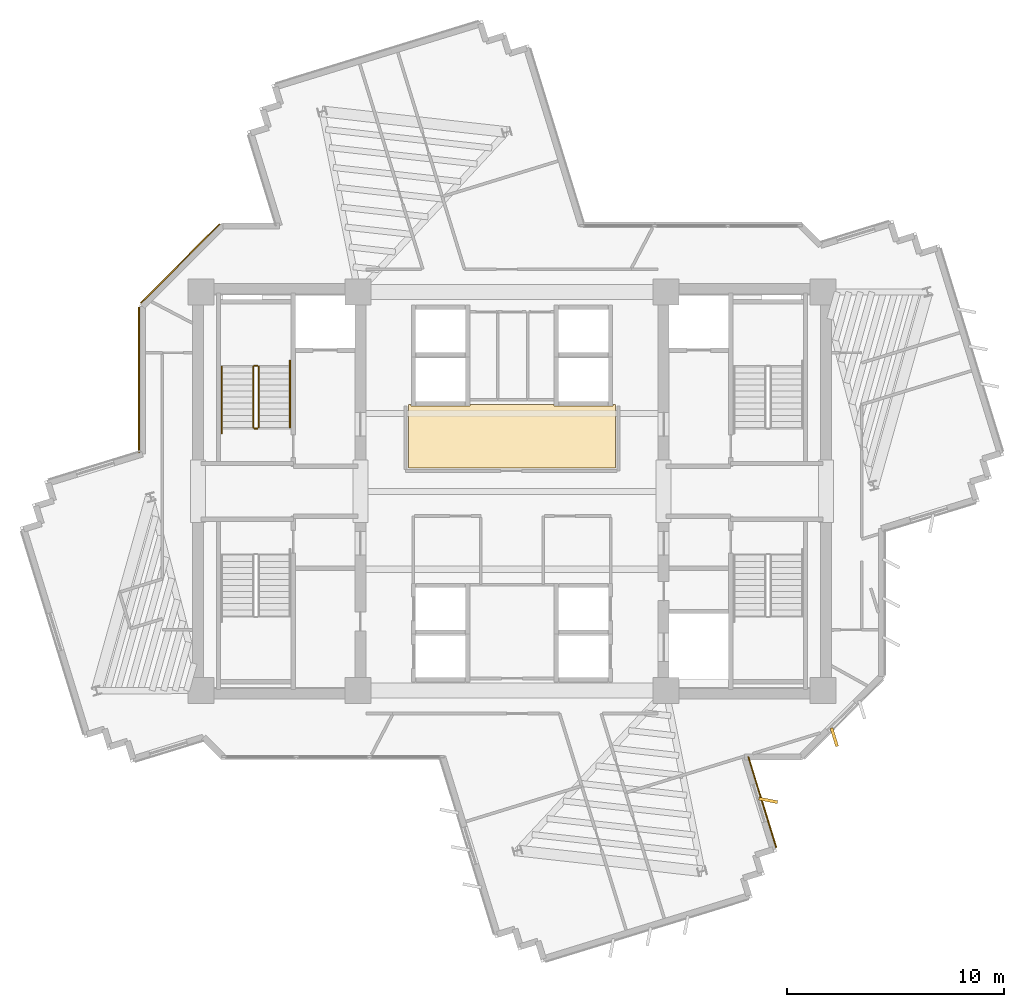
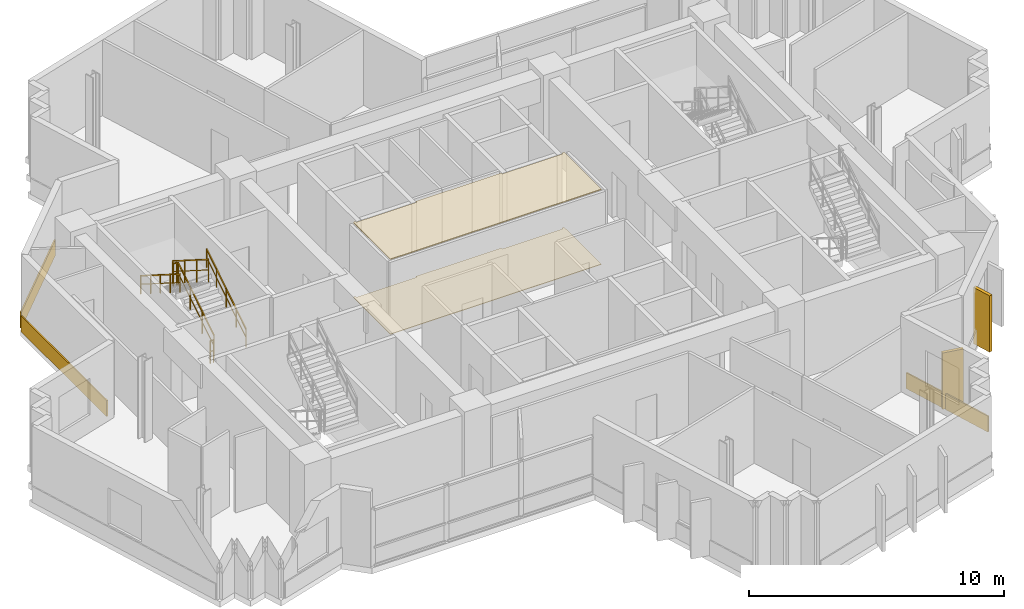
# One storey, part 11 of 13: 7 coverings, 6 railings.
"""IFC4 building model written with IfcOpenShell, lengths in metres."""

from ifc_helpers import new_model, si_unit, direction, frame, origin, origin_2d, place, context, subcontext, project, spatial, polyline, rectangle, outline, extrude, source, transform, mapped, material, layer, layer_set, type_object, element, save


model = new_model("IFC4")

# Units and contexts
model_context = context("Model", 3, precision=1e-05, world=origin(), true_north=direction((0.0, 1.0)))
body_context = subcontext(model_context, "Body", "Model", "MODEL_VIEW")
ifc_project = project(units=[si_unit("LENGTHUNIT", "METRE"), si_unit("AREAUNIT", "SQUARE_METRE"), si_unit("VOLUMEUNIT", "CUBIC_METRE"), si_unit("PLANEANGLEUNIT", "RADIAN"), si_unit("MASSUNIT", "GRAM", prefix="KILO")], contexts=[model_context])

# Site, building, storey
site_placement = place(None, origin())
site = spatial("IfcSite", under=ifc_project, at=site_placement, CompositionType="ELEMENT")
building_placement = place(site_placement, origin())
building = spatial("IfcBuilding", under=site, at=building_placement, Name="Zahravan Cultural Tower", CompositionType="ELEMENT")
storey_placement = place(building_placement, frame((0.0, 0.0, 217.5)))
storey = spatial("IfcBuildingStorey", under=building, at=storey_placement, Name="L51", CompositionType="ELEMENT", Elevation=217.5)

# Coverings
ifc_material_1 = material(Name="Acoustic mineral fibreboard")
ifc_layer_1 = layer(ifc_material_1, 0.0400390625)
ifc_layer_set_1 = layer_set([ifc_layer_1], Name="Acoustic mineral fibreboard")
covering_type_1 = type_object("IfcCoveringType", Name="COV-CEIL-AC20", PredefinedType="CEILING", material=ifc_layer_set_1)
covering_1_placement = place(storey_placement, frame((0.0, 0.0, 3.580078125)))
element("IfcCovering", 1, at=covering_1_placement, inside=storey, type_object=covering_type_1, Name="L51 Acoustic Suspended Ceiling", PredefinedType="CEILING", context=body_context, shape_type="SweptSolid", body=[
    extrude(outline(polyline([(31.219970703125, 31.0), (31.219970703125, 28.080078125), (40.780029296875, 28.080078125), (40.780029296875, 31.0), (40.669921875, 31.0), (40.669921875, 30.929931640625), (37.929931640625, 30.929931640625), (37.929931640625, 31.0), (34.070068359375, 31.0), (34.070068359375, 30.929931640625), (31.330078125, 30.929931640625), (31.330078125, 31.0), (31.219970703125, 31.0)])), origin(), (0.0, 0.0, 1.0), 0.0400390625),
])
ifc_material_2 = material(Name="Terrazzo flooring")
ifc_layer_2 = layer(ifc_material_2, 0.02490234375)
ifc_layer_set_2 = layer_set([ifc_layer_2], Name="Terrazzo flooring")
covering_type_2 = type_object("IfcCoveringType", Name="COV-FLR-TZ25", PredefinedType="FLOORING", material=ifc_layer_set_2)
covering_2_placement = place(storey_placement, origin())
element("IfcCovering", 2, at=covering_2_placement, inside=storey, type_object=covering_type_2, Name="L51 Polished Terrazzo Flooring", PredefinedType="FLOORING", context=body_context, shape_type="SweptSolid", body=[
    extrude(outline(polyline([(31.219970703125, 31.0), (31.219970703125, 28.080078125), (40.780029296875, 28.080078125), (40.780029296875, 31.0), (40.669921875, 31.0), (40.669921875, 30.929931640625), (37.929931640625, 30.929931640625), (37.929931640625, 31.0), (34.070068359375, 31.0), (34.070068359375, 30.929931640625), (31.330078125, 30.929931640625), (31.330078125, 31.0), (31.219970703125, 31.0)])), origin(), (0.0, 0.0, 1.0), 0.02490234375),
])

# Railings
ifc_material_3 = material(Name="Steel ASTM A572 Grade 50", Category="steel")
railing_type_1 = type_object("IfcRailingType", Name="RL-STAIR-GRD1150", PredefinedType="BALUSTRADE", material=ifc_material_3)
railing_1_placement = place(storey_placement, frame((24.300048828125, 29.949951171875, 0.17724609375)))
element("IfcRailing", 3, at=railing_1_placement, inside=storey, type_object=railing_type_1, Name="L51 ST-W1 stair guard 1", PredefinedType="BALUSTRADE", context=body_context, shape_type="SweptSolid", body=[
    extrude(rectangle(XDim=0.05, YDim=0.05, at=origin_2d()), frame((0.0, 0.0, 1.0751953125), z_axis=(0.0, 0.844908973607, 0.534910110503), x_axis=(-1.0, 0.0, 0.0)), (0.0, 0.0, 1.0), 3.31396484375),
    extrude(rectangle(XDim=0.032, YDim=0.032, at=origin_2d()), frame((0.0, 0.0, 0.572021484375), z_axis=(0.0, 0.844908973607, 0.534910110503), x_axis=(-1.0, 0.0, 0.0)), (0.0, 0.0, 1.0), 3.31396484375),
    extrude(rectangle(XDim=0.04, YDim=0.04, at=origin_2d()), origin(), (0.0, 0.0, 1.0), 1.10009765625),
    extrude(rectangle(XDim=0.04, YDim=0.04, at=origin_2d()), frame((0.0, 0.933349609375, 0.5908203125)), (0.0, 0.0, 1.0), 1.10009765625),
    extrude(rectangle(XDim=0.04, YDim=0.04, at=origin_2d()), frame((0.0, 1.86669921875, 1.181884765625)), (0.0, 0.0, 1.0), 1.10009765625),
    extrude(rectangle(XDim=0.04, YDim=0.04, at=origin_2d()), frame((0.0, 2.800048828125, 1.772705078125)), (0.0, 0.0, 1.0), 1.10009765625),
])
railing_2_placement = place(storey_placement, frame((24.25, 32.800048828125, 1.949951171875)))
element("IfcRailing", 4, at=railing_2_placement, inside=storey, type_object=railing_type_1, Name="L51 ST-W1 stair guard 2", PredefinedType="BALUSTRADE", context=body_context, shape_type="SweptSolid", body=[
    extrude(rectangle(XDim=0.05, YDim=0.05, at=origin_2d()), frame((0.0, 0.0, 1.0751953125), z_axis=(-1.0, 0.0, 0.0), x_axis=(0.0, -1.0, 0.0)), (0.0, 0.0, 1.0), 0.14990234375),
    extrude(rectangle(XDim=0.032, YDim=0.032, at=origin_2d()), frame((0.0, 0.0, 0.572021484375), z_axis=(-1.0, 0.0, 0.0), x_axis=(0.0, -1.0, 0.0)), (0.0, 0.0, 1.0), 0.14990234375),
    extrude(rectangle(XDim=0.04, YDim=0.04, at=origin_2d()), origin(), (0.0, 0.0, 1.0), 1.10009765625),
    extrude(rectangle(XDim=0.04, YDim=0.04, at=origin_2d()), frame((-0.14990234375, 0.0, 0.0)), (0.0, 0.0, 1.0), 1.10009765625),
])
railing_3_placement = place(storey_placement, frame((24.050048828125, 32.75, 2.127197265625)))
element("IfcRailing", 5, at=railing_3_placement, inside=storey, type_object=railing_type_1, Name="L51 ST-W1 stair guard 3", PredefinedType="BALUSTRADE", context=body_context, shape_type="SweptSolid", body=[
    extrude(rectangle(XDim=0.05, YDim=0.05, at=origin_2d()), frame((0.0, 0.0, 1.0751953125), z_axis=(0.0, -0.844908973607, 0.534910110503), x_axis=(1.0, 0.0, 0.0)), (0.0, 0.0, 1.0), 3.31396484375),
    extrude(rectangle(XDim=0.032, YDim=0.032, at=origin_2d()), frame((0.0, 0.0, 0.572021484375), z_axis=(0.0, -0.844908973607, 0.534910110503), x_axis=(1.0, 0.0, 0.0)), (0.0, 0.0, 1.0), 3.31396484375),
    extrude(rectangle(XDim=0.04, YDim=0.04, at=origin_2d()), origin(), (0.0, 0.0, 1.0), 1.10009765625),
    extrude(rectangle(XDim=0.04, YDim=0.04, at=origin_2d()), frame((0.0, -0.933349609375, 0.5908203125)), (0.0, 0.0, 1.0), 1.10009765625),
    extrude(rectangle(XDim=0.04, YDim=0.04, at=origin_2d()), frame((0.0, -1.86669921875, 1.181884765625)), (0.0, 0.0, 1.0), 1.10009765625),
    extrude(rectangle(XDim=0.04, YDim=0.04, at=origin_2d()), frame((0.0, -2.800048828125, 1.772705078125)), (0.0, 0.0, 1.0), 1.10009765625),
])
railing_4_placement = place(storey_placement, frame((24.25, 29.89990234375, 0.0)))
element("IfcRailing", 6, at=railing_4_placement, inside=storey, type_object=railing_type_1, Name="L51 ST-W1 stair guard 4", PredefinedType="BALUSTRADE", context=body_context, shape_type="SweptSolid", body=[
    extrude(rectangle(XDim=0.05, YDim=0.05, at=origin_2d()), frame((0.0, 0.0, 1.0751953125), z_axis=(-1.0, 0.0, 0.0), x_axis=(0.0, -1.0, 0.0)), (0.0, 0.0, 1.0), 0.14990234375),
    extrude(rectangle(XDim=0.032, YDim=0.032, at=origin_2d()), frame((0.0, 0.0, 0.572021484375), z_axis=(-1.0, 0.0, 0.0), x_axis=(0.0, -1.0, 0.0)), (0.0, 0.0, 1.0), 0.14990234375),
    extrude(rectangle(XDim=0.04, YDim=0.04, at=origin_2d()), origin(), (0.0, 0.0, 1.0), 1.10009765625),
    extrude(rectangle(XDim=0.04, YDim=0.04, at=origin_2d()), frame((-0.14990234375, 0.0, 0.0)), (0.0, 0.0, 1.0), 1.10009765625),
])
railing_type_2 = type_object("IfcRailingType", Name="RL-STAIR-HR900", PredefinedType="HANDRAIL", material=ifc_material_3)
railing_5_placement = place(storey_placement, frame((25.75, 29.949951171875, 0.17724609375)))
element("IfcRailing", 7, at=railing_5_placement, inside=storey, type_object=railing_type_2, Name="L51 ST-W1 stair handrail 1", PredefinedType="HANDRAIL", context=body_context, shape_type="SweptSolid", body=[
    extrude(rectangle(XDim=0.05, YDim=0.05, at=origin_2d()), frame((0.0, 0.0, 0.875), z_axis=(0.0, 0.844913916606, 0.534902302785), x_axis=(-1.0, 0.0, 0.0)), (0.0, 0.0, 1.0), 3.6455078125),
    extrude(rectangle(XDim=0.032, YDim=0.032, at=origin_2d()), frame((0.0, 0.0, 0.468017578125), z_axis=(0.0, 0.844913916606, 0.534902302785), x_axis=(-1.0, 0.0, 0.0)), (0.0, 0.0, 1.0), 3.6455078125),
    extrude(rectangle(XDim=0.04, YDim=0.04, at=origin_2d()), origin(), (0.0, 0.0, 1.0), 0.89990234375),
    extrude(rectangle(XDim=0.04, YDim=0.04, at=origin_2d()), frame((0.0, 0.77001953125, 0.487548828125)), (0.0, 0.0, 1.0), 0.89990234375),
    extrude(rectangle(XDim=0.04, YDim=0.04, at=origin_2d()), frame((0.0, 1.5400390625, 0.97509765625)), (0.0, 0.0, 1.0), 0.89990234375),
    extrude(rectangle(XDim=0.04, YDim=0.04, at=origin_2d()), frame((0.0, 2.31005859375, 1.46240234375)), (0.0, 0.0, 1.0), 0.89990234375),
    extrude(rectangle(XDim=0.04, YDim=0.04, at=origin_2d()), frame((0.0, 3.080078125, 1.949951171875)), (0.0, 0.0, 1.0), 0.89990234375),
])
railing_6_placement = place(storey_placement, frame((22.60009765625, 32.75, 2.127197265625)))
element("IfcRailing", 8, at=railing_6_placement, inside=storey, type_object=railing_type_2, Name="L51 ST-W1 stair handrail 2", PredefinedType="HANDRAIL", context=body_context, shape_type="SweptSolid", body=[
    extrude(rectangle(XDim=0.05, YDim=0.05, at=origin_2d()), frame((0.0, 0.0, 0.875), z_axis=(0.0, -0.844883648757, 0.534950109882), x_axis=(1.0, 0.0, 0.0)), (0.0, 0.0, 1.0), 3.6455078125),
    extrude(rectangle(XDim=0.032, YDim=0.032, at=origin_2d()), frame((0.0, 0.0, 0.468017578125), z_axis=(0.0, -0.844883648757, 0.534950109882), x_axis=(1.0, 0.0, 0.0)), (0.0, 0.0, 1.0), 3.6455078125),
    extrude(rectangle(XDim=0.04, YDim=0.04, at=origin_2d()), origin(), (0.0, 0.0, 1.0), 0.89990234375),
    extrude(rectangle(XDim=0.04, YDim=0.04, at=origin_2d()), frame((0.0, -0.77001953125, 0.487548828125)), (0.0, 0.0, 1.0), 0.89990234375),
    extrude(rectangle(XDim=0.04, YDim=0.04, at=origin_2d()), frame((0.0, -1.5400390625, 0.97509765625)), (0.0, 0.0, 1.0), 0.89990234375),
    extrude(rectangle(XDim=0.04, YDim=0.04, at=origin_2d()), frame((0.0, -2.31005859375, 1.462646484375)), (0.0, 0.0, 1.0), 0.89990234375),
    extrude(rectangle(XDim=0.04, YDim=0.04, at=origin_2d()), frame((0.0, -3.080078125, 1.9501953125)), (0.0, 0.0, 1.0), 0.89990234375),
])

# Coverings
ifc_material_4 = material(Name="Terracotta ceramic cladding", Category="masonry")
ifc_layer_3 = layer(ifc_material_4, 0.06005859375)
ifc_layer_set_3 = layer_set([ifc_layer_3], Name="Terracotta ceramic cladding")
covering_type_3 = type_object("IfcCoveringType", Name="COV-CLAD-TC60", PredefinedType="CLADDING", material=ifc_layer_set_3)
shared_shape_1 = source(origin(), body_context, "Body", "SweptSolid", [
    extrude(rectangle(XDim=5.157958984375, YDim=0.06005859375, at=origin_2d()), origin(), (0.0, 0.0, 1.0), 0.760009765625),
])
covering_3_placement = place(storey_placement, frame((20.682373046875, 37.517578125, 0.02001953125), z_axis=(0.0, 0.0, 1.0), x_axis=(0.707106781187, 0.707106781187, 0.0)))
element("IfcCovering", 9, at=covering_3_placement, inside=storey, type_object=covering_type_3, Name="L51 Terracotta Spandrel Cladding 39", PredefinedType="CLADDING", context=body_context, shape_type="MappedRepresentation", body=[
    mapped(shared_shape_1, transform((0.0, 0.0, 0.0), x_axis=(1.0, 0.0, 0.0), y_axis=(0.0, 1.0, 0.0), z_axis=(0.0, 0.0, 1.0), scale=1.0)),
])
shared_shape_2 = source(origin(), body_context, "Body", "SweptSolid", [
    extrude(rectangle(XDim=0.8798828125, YDim=0.139892578125, at=origin_2d()), origin(), (0.0, 0.0, 1.0), 2.699951171875),
])
for number, where, z_axis, x_axis, name in (
    (10, (50.8828125, 15.644287109375, 0.0498046875), (0.0, 0.0, 1.0), (0.292371704723, -0.956304755963, 0.0), "L51 Herringbone Terracotta Fin 09"),
    (11, (47.8291015625, 12.7294921875, 0.0498046875), (0.0, 0.0, 1.0), (0.981955412209, -0.189112581374, 0.0), "L51 Herringbone Terracotta Fin 10"),
):
    element("IfcCovering", number, at=place(storey_placement, frame(where, z_axis=z_axis, x_axis=x_axis)), inside=storey, type_object=covering_type_3, Name=name, PredefinedType="CLADDING", context=body_context, shape_type="MappedRepresentation", body=[
        mapped(shared_shape_2, transform((0.0, 0.0, 0.0), x_axis=(1.0, 0.0, 0.0), y_axis=(0.0, 1.0, 0.0), z_axis=(0.0, 0.0, 1.0), scale=1.0)),
    ])
shared_shape_3 = source(origin(), body_context, "Body", "SweptSolid", [
    extrude(rectangle(XDim=6.722412109375, YDim=0.06005859375, at=origin_2d()), origin(), (0.0, 0.0, 1.0), 0.760009765625),
])
covering_4_placement = place(storey_placement, frame((18.77490234375, 32.130859375, 0.02001953125), z_axis=(0.0, 0.0, 1.0), x_axis=(0.0, 1.0, 0.0)))
element("IfcCovering", 12, at=covering_4_placement, inside=storey, type_object=covering_type_3, Name="L51 Terracotta Spandrel Cladding 38", PredefinedType="CLADDING", context=body_context, shape_type="MappedRepresentation", body=[
    mapped(shared_shape_3, transform((0.0, 0.0, 0.0), x_axis=(1.0, 0.0, 0.0), y_axis=(0.0, 1.0, 0.0), z_axis=(0.0, 0.0, 1.0), scale=1.0)),
])
shared_shape_4 = source(origin(), body_context, "Body", "SweptSolid", [
    extrude(rectangle(XDim=4.384033203125, YDim=0.06005859375, at=origin_2d()), origin(), (0.0, 0.0, 1.0), 0.760009765625),
])
covering_5_placement = place(storey_placement, frame((47.556640625, 12.6455078125, 0.02001953125), z_axis=(0.0, 0.0, 1.0), x_axis=(0.294023643452, -0.955798146625, 0.0)))
element("IfcCovering", 13, at=covering_5_placement, inside=storey, type_object=covering_type_3, Name="L51 Terracotta Spandrel Cladding 15", PredefinedType="CLADDING", context=body_context, shape_type="MappedRepresentation", body=[
    mapped(shared_shape_4, transform((0.0, 0.0, 0.0), x_axis=(1.0, 0.0, 0.0), y_axis=(0.0, 1.0, 0.0), z_axis=(0.0, 0.0, 1.0), scale=1.0)),
])

save(model, "model.ifc")
